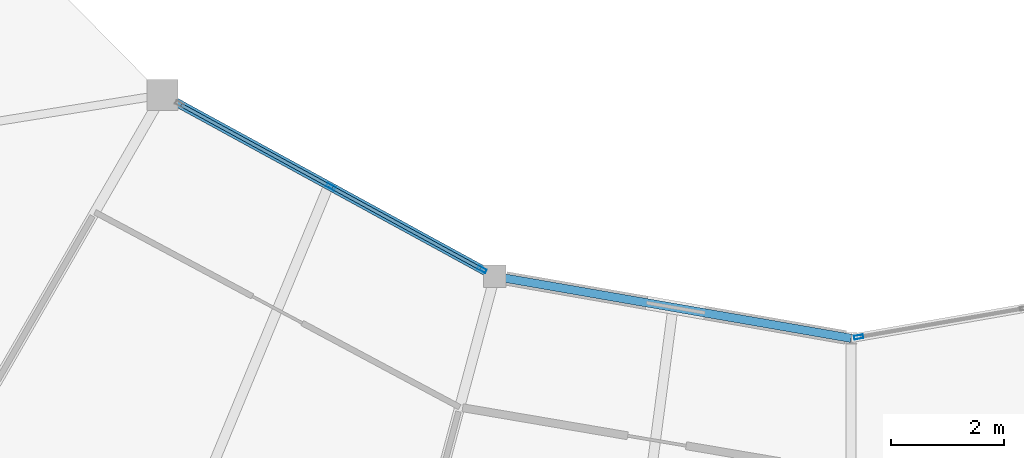
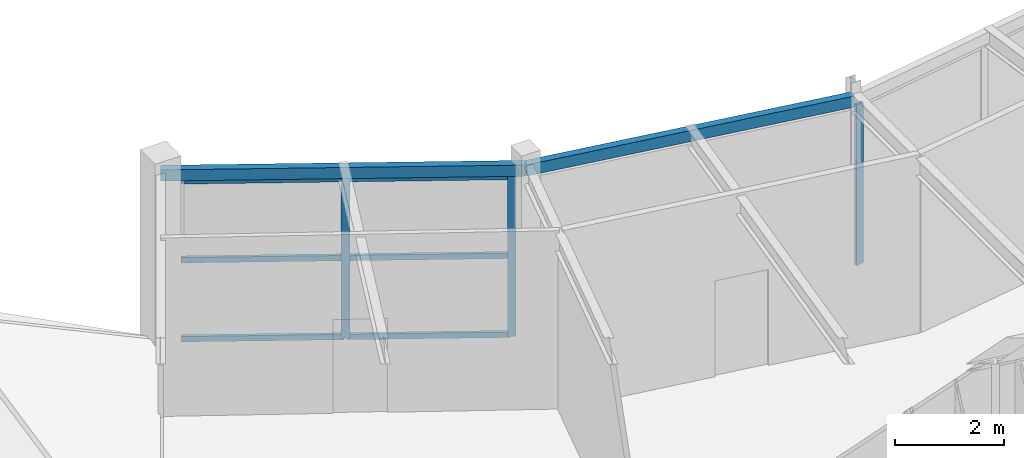
# One storey, part 24 of 106: 9 members, 2 beams, 2 elements without a shape of their own.
"""IFC4 building model written with IfcOpenShell, lengths in metres."""

from ifc_helpers import new_model, si_unit, direction, frame, origin, origin_2d, place, context, subcontext, project, spatial, hollow_rectangle, extrude, material, material_profile, profile_set, type_object, element, aggregate, save


model = new_model("IFC4")

# Units and contexts
model_context = context("Model", 3, precision=1e-05, world=origin(), true_north=direction((0.0, 1.0)))
body_context = subcontext(model_context, "Body", "Model", "MODEL_VIEW")
ifc_project = project(units=[si_unit("LENGTHUNIT", "METRE"), si_unit("AREAUNIT", "SQUARE_METRE"), si_unit("VOLUMEUNIT", "CUBIC_METRE"), si_unit("PLANEANGLEUNIT", "RADIAN"), si_unit("MASSUNIT", "GRAM", prefix="KILO")], contexts=[model_context])

# Site, building, storey
site_placement = place(None, origin())
site = spatial("IfcSite", under=ifc_project, at=site_placement, CompositionType="ELEMENT")
building_placement = place(site_placement, origin())
building = spatial("IfcBuilding", under=site, at=building_placement, Name="Karori Crest Natural Sciences Institute", CompositionType="ELEMENT")
storey_placement = place(building_placement, frame((0.0, 0.0, 25.89990234375)))
storey = spatial("IfcBuildingStorey", under=building, at=storey_placement, Name="L06", CompositionType="ELEMENT", Elevation=25.89990234375)

# Beams
ifc_material_1 = material(Name="Hollow structural steel AS/NZS 1163 Grade C350", Category="steel")
ifc_material_profile_1 = material_profile(ifc_material_1, hollow_rectangle(XDim=0.14990234375, YDim=0.25, WallThickness=0.009033203125, at=origin_2d()), Name="RHS250x150x9")
ifc_profile_set_1 = profile_set([ifc_material_profile_1], Name="Hollow structural steel AS/NZS 1163 Grade C350")
beam_type = type_object("IfcBeamType", Name="BT-16", PredefinedType="SPANDREL", material=ifc_profile_set_1)
beam_1_placement = place(storey_placement, frame((54.199951171875, 22.013916015625, 3.739990234375), z_axis=(0.877461157042, -0.479647701842, 0.0), x_axis=(0.479647701842, 0.877461157042, 0.0)))
element("IfcBeam", 1, at=beam_1_placement, inside=storey, type_object=beam_type, Name="Beam B-0693", PredefinedType="SPANDREL", context=body_context, shape_type="SweptSolid", body=[
    extrude(hollow_rectangle(XDim=0.14990234375, YDim=0.25, WallThickness=0.009033203125, at=origin_2d()), origin(), (0.0, 0.0, 1.0), 6.70654296875),
])
beam_2_placement = place(storey_placement, frame((60.084716796875, 18.797119140625, 3.739990234375), z_axis=(0.985241372425, -0.17117078624, 0.0), x_axis=(0.17117078624, 0.985241372425, 0.0)))
element("IfcBeam", 2, at=beam_2_placement, inside=storey, type_object=beam_type, Name="Beam B-0696", PredefinedType="SPANDREL", context=body_context, shape_type="SweptSolid", body=[
    extrude(hollow_rectangle(XDim=0.14990234375, YDim=0.25, WallThickness=0.009033203125, at=origin_2d()), origin(), (0.0, 0.0, 1.0), 6.40966796875),
])

# Curtain wall, members
ifc_material_2 = material(Name="Anodised architectural aluminium 6063-T6", Category="aluminium")
curtain_wall_type_1 = type_object("IfcCurtainWallType", Name="CWT-12", PredefinedType="NOTDEFINED", material=ifc_material_2)
curtain_wall_1_placement = place(storey_placement, origin())
curtain_wall_1 = element("IfcCurtainWall", 3, at=curtain_wall_1_placement, inside=storey, type_object=curtain_wall_type_1, Name="Curtain wall CW-0209", PredefinedType="NOTDEFINED")
ifc_material_profile_2 = material_profile(ifc_material_2, hollow_rectangle(XDim=0.06494140625, YDim=0.159912109375, WallThickness=0.00390625, at=origin_2d()), Name="CWM160x65x4")
ifc_profile_set_2 = profile_set([ifc_material_profile_2], Name="Anodised architectural aluminium 6063-T6")
member_type_1 = type_object("IfcMemberType", Name="CWM-01", PredefinedType="MULLION", material=ifc_profile_set_2)
member_1_placement = place(storey_placement, frame((57.179931640625, 20.385009765625, 0.0), z_axis=(0.0, 0.0, 1.0), x_axis=(0.479631017431, 0.877470277057, 0.0)))
member_1 = element("IfcMember", 4, at=member_1_placement, type_object=member_type_1, Name="CW-0209 mullion 2", PredefinedType="MULLION", context=body_context, shape_type="SweptSolid", body=[
    extrude(hollow_rectangle(XDim=0.06494140625, YDim=0.159912109375, WallThickness=0.00390625, at=origin_2d()), origin(), (0.0, 0.0, 1.0), 3.60009765625),
])
member_2_placement = place(storey_placement, frame((59.858154296875, 18.921142578125, 0.0), z_axis=(0.0, 0.0, 1.0), x_axis=(0.479631017431, 0.877470277057, 0.0)))
member_2 = element("IfcMember", 5, at=member_2_placement, type_object=member_type_1, Name="CW-0209 mullion 3", PredefinedType="MULLION", context=body_context, shape_type="SweptSolid", body=[
    extrude(hollow_rectangle(XDim=0.06494140625, YDim=0.159912109375, WallThickness=0.00390625, at=origin_2d()), origin(), (0.0, 0.0, 1.0), 3.60009765625),
])

# Curtain wall, member
curtain_wall_type_2 = type_object("IfcCurtainWallType", Name="CWT-14", PredefinedType="NOTDEFINED", material=ifc_material_2)
curtain_wall_2_placement = place(storey_placement, origin())
curtain_wall_2 = element("IfcCurtainWall", 6, at=curtain_wall_2_placement, inside=storey, type_object=curtain_wall_type_2, Name="Curtain wall CW-0212", PredefinedType="NOTDEFINED")
member_3_placement = place(storey_placement, frame((66.532470703125, 17.72314453125, 0.0), z_axis=(0.0, 0.0, 1.0), x_axis=(-0.171173924291, 0.985240827231, 0.0)))
member_3 = element("IfcMember", 7, at=member_3_placement, type_object=member_type_1, Name="CW-0212 mullion 1", PredefinedType="MULLION", context=body_context, shape_type="SweptSolid", body=[
    extrude(hollow_rectangle(XDim=0.06494140625, YDim=0.159912109375, WallThickness=0.00390625, at=origin_2d()), origin(), (0.0, 0.0, 1.0), 3.60009765625),
])
aggregate(curtain_wall_2, [member_3])

# Member
ifc_material_profile_3 = material_profile(ifc_material_2, hollow_rectangle(XDim=0.06005859375, YDim=0.1201171875, WallThickness=0.00390625, at=origin_2d()), Name="CWT120x60x4")
ifc_profile_set_3 = profile_set([ifc_material_profile_3], Name="Anodised architectural aluminium 6063-T6")
member_type_2 = type_object("IfcMemberType", Name="CWT-TR1", PredefinedType="USERDEFINED", material=ifc_profile_set_3)
member_4_placement = place(storey_placement, frame((54.5302734375, 21.83349609375, 0.030029296875), z_axis=(0.877448541585, -0.479670779672, 0.0), x_axis=(0.479670779672, 0.877448541585, 0.0)))
member_4 = element("IfcMember", 8, at=member_4_placement, type_object=member_type_2, Name="CW-0209 transom 1.1", ObjectType="TRANSOM", PredefinedType="USERDEFINED", context=body_context, shape_type="SweptSolid", body=[
    extrude(hollow_rectangle(XDim=0.06005859375, YDim=0.1201171875, WallThickness=0.00390625, at=origin_2d()), origin(), (0.0, 0.0, 1.0), 2.987060546875),
])

member_5_placement = place(storey_placement, frame((54.5302734375, 21.83349609375, 1.800048828125), z_axis=(0.877448541585, -0.479670779672, 0.0), x_axis=(0.479670779672, 0.877448541585, 0.0)))
member_5 = element("IfcMember", 9, at=member_5_placement, type_object=member_type_2, Name="CW-0209 transom 1.2", ObjectType="TRANSOM", PredefinedType="USERDEFINED", context=body_context, shape_type="SweptSolid", body=[
    extrude(hollow_rectangle(XDim=0.06005859375, YDim=0.1201171875, WallThickness=0.00390625, at=origin_2d()), origin(), (0.0, 0.0, 1.0), 2.987060546875),
])

member_6_placement = place(storey_placement, frame((54.5302734375, 21.83349609375, 3.570068359375), z_axis=(0.877448541585, -0.479670779672, 0.0), x_axis=(0.479670779672, 0.877448541585, 0.0)))
member_6 = element("IfcMember", 10, at=member_6_placement, type_object=member_type_2, Name="CW-0209 transom 1.3", ObjectType="TRANSOM", PredefinedType="USERDEFINED", context=body_context, shape_type="SweptSolid", body=[
    extrude(hollow_rectangle(XDim=0.06005859375, YDim=0.1201171875, WallThickness=0.00390625, at=origin_2d()), origin(), (0.0, 0.0, 1.0), 2.987060546875),
])

member_7_placement = place(storey_placement, frame((57.20849609375, 20.36962890625, 0.030029296875), z_axis=(0.877448541585, -0.479670779672, 0.0), x_axis=(0.479670779672, 0.877448541585, 0.0)))
member_7 = element("IfcMember", 11, at=member_7_placement, type_object=member_type_2, Name="CW-0209 transom 2.1", ObjectType="TRANSOM", PredefinedType="USERDEFINED", context=body_context, shape_type="SweptSolid", body=[
    extrude(hollow_rectangle(XDim=0.06005859375, YDim=0.1201171875, WallThickness=0.00390625, at=origin_2d()), origin(), (0.0, 0.0, 1.0), 2.987060546875),
])

member_8_placement = place(storey_placement, frame((57.20849609375, 20.36962890625, 1.800048828125), z_axis=(0.877448541585, -0.479670779672, 0.0), x_axis=(0.479670779672, 0.877448541585, 0.0)))
member_8 = element("IfcMember", 12, at=member_8_placement, type_object=member_type_2, Name="CW-0209 transom 2.2", ObjectType="TRANSOM", PredefinedType="USERDEFINED", context=body_context, shape_type="SweptSolid", body=[
    extrude(hollow_rectangle(XDim=0.06005859375, YDim=0.1201171875, WallThickness=0.00390625, at=origin_2d()), origin(), (0.0, 0.0, 1.0), 2.987060546875),
])

member_9_placement = place(storey_placement, frame((57.20849609375, 20.36962890625, 3.570068359375), z_axis=(0.877448541585, -0.479670779672, 0.0), x_axis=(0.479670779672, 0.877448541585, 0.0)))
member_9 = element("IfcMember", 13, at=member_9_placement, type_object=member_type_2, Name="CW-0209 transom 2.3", ObjectType="TRANSOM", PredefinedType="USERDEFINED", context=body_context, shape_type="SweptSolid", body=[
    extrude(hollow_rectangle(XDim=0.06005859375, YDim=0.1201171875, WallThickness=0.00390625, at=origin_2d()), origin(), (0.0, 0.0, 1.0), 2.987060546875),
])

aggregate(curtain_wall_1, [member_1, member_2, member_4, member_5, member_6, member_7, member_8, member_9])

save(model, "model.ifc")
